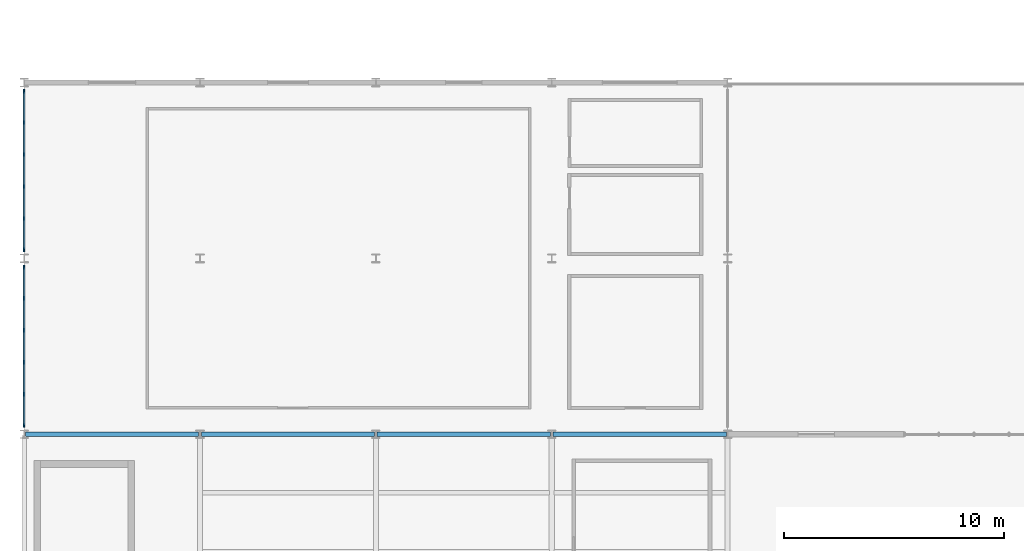
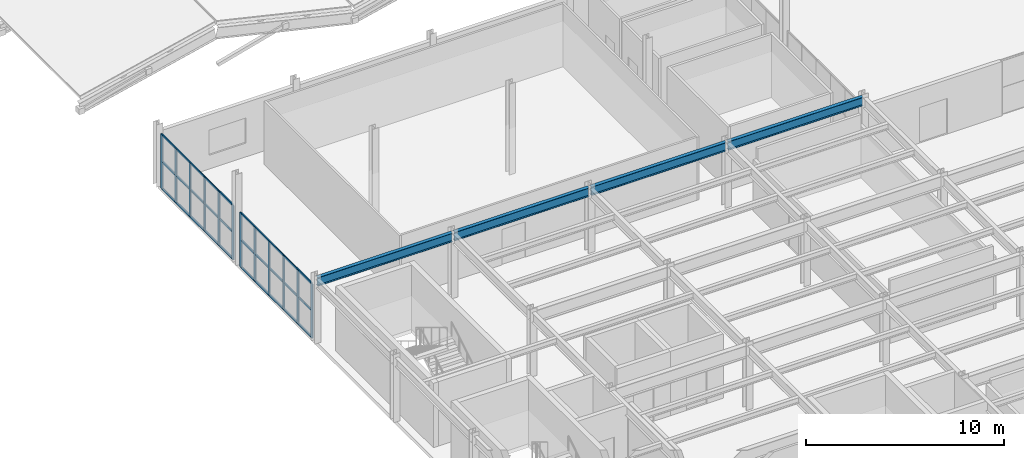
# One storey, part 7 of 67: 18 members, 4 beams, 2 elements without a shape of their own.
"""IFC4 building model written with IfcOpenShell, lengths in metres."""

from ifc_helpers import new_model, si_unit, direction, frame, origin, origin_2d, place, context, subcontext, project, spatial, rectangle, i_section, extrude, material, material_profile, profile_set, type_object, element, aggregate, save


model = new_model("IFC4")

# Units and contexts
model_context = context("Model", 3, precision=1e-05, world=origin(), true_north=direction((0.0, 1.0)))
body_context = subcontext(model_context, "Body", "Model", "MODEL_VIEW")
ifc_project = project(units=[si_unit("LENGTHUNIT", "METRE"), si_unit("AREAUNIT", "SQUARE_METRE"), si_unit("VOLUMEUNIT", "CUBIC_METRE"), si_unit("PLANEANGLEUNIT", "RADIAN"), si_unit("MASSUNIT", "GRAM", prefix="KILO")], contexts=[model_context])

# Site, building, storey
site_placement = place(None, origin())
site = spatial("IfcSite", under=ifc_project, at=site_placement, CompositionType="ELEMENT")
building_placement = place(site_placement, origin())
building = spatial("IfcBuilding", under=site, at=building_placement, Name="Drelvath Fold Interchange", CompositionType="ELEMENT")
storey_placement = place(building_placement, frame((0.0, 0.0, 15.60009765625)))
storey = spatial("IfcBuildingStorey", under=building, at=storey_placement, Name="L03", CompositionType="ELEMENT", Elevation=15.60009765625)

# Beams
ifc_material_1 = material(Name="Steel ASTM A992 Grade 50", Category="steel")
ifc_material_profile_1 = material_profile(ifc_material_1, i_section(OverallWidth=0.2099609375, OverallDepth=0.537109375, WebThickness=0.010986328125, FlangeThickness=0.017333984375, at=origin_2d()), Name="W21X68")
ifc_profile_set_1 = profile_set([ifc_material_profile_1], Name="Steel ASTM A992 Grade 50")
beam_type = type_object("IfcBeamType", Name="BM-W21X68", PredefinedType="SPANDREL", material=ifc_profile_set_1)
for number, where, z_axis, x_axis, name in (
    (1, (4.06005859375, 35.0, 3.7109375), (1.0, 0.0, 0.0), (0.0, 1.0, 0.0), "L03 Primary X girder BM-W21X68"),
    (2, (12.06005859375, 35.0, 3.7109375), (1.0, 0.0, 0.0), (0.0, 1.0, 0.0), "L03 Primary X girder BM-W21X68"),
    (3, (20.06005859375, 35.0, 3.7109375), (1.0, 0.0, 0.0), (0.0, 1.0, 0.0), "L03 Primary X girder BM-W21X68"),
    (4, (28.06005859375, 35.0, 3.7109375), (1.0, 0.0, 0.0), (0.0, 1.0, 0.0), "L03 Primary X girder BM-W21X68"),
):
    element("IfcBeam", number, at=place(storey_placement, frame(where, z_axis=z_axis, x_axis=x_axis)), inside=storey, type_object=beam_type, Name=name, PredefinedType="SPANDREL", context=body_context, shape_type="SweptSolid", body=[
        extrude(i_section(OverallWidth=0.2099609375, OverallDepth=0.537109375, WebThickness=0.010986328125, FlangeThickness=0.017333984375, at=origin_2d()), origin(), (0.0, 0.0, 1.0), 7.8798828125),
    ])

# Curtain wall, members
ifc_material_2 = material(Name="Anodized Aluminium 6063-T6", Category="aluminium")
curtain_wall_type = type_object("IfcCurtainWallType", Name="CW-OPS-UPP", PredefinedType="USERDEFINED", material=ifc_material_2)
curtain_wall_1_placement = place(storey_placement, origin())
curtain_wall_1 = element("IfcCurtainWall", 5, at=curtain_wall_1_placement, inside=storey, type_object=curtain_wall_type, Name="Curtain wall CW-V5-L03-W35", ObjectType="UNITISED CURTAIN WALL", PredefinedType="USERDEFINED")
ifc_material_profile_2 = material_profile(ifc_material_2, rectangle(XDim=0.06005859375, YDim=0.175048828125, at=origin_2d()), Name="AL-M 60x175")
ifc_profile_set_2 = profile_set([ifc_material_profile_2], Name="Anodized Aluminium 6063-T6")
member_type_1 = type_object("IfcMemberType", Name="ML-175", PredefinedType="MULLION", material=ifc_profile_set_2)
member_1_placement = place(storey_placement, frame((4.0, 35.39990234375, 0.0), z_axis=(0.0, 0.0, 1.0), x_axis=(1.0, 0.0, 0.0)))
member_1 = element("IfcMember", 6, at=member_1_placement, type_object=member_type_1, Name="CW-V5-L03-W35 mullion 0", PredefinedType="MULLION", context=body_context, shape_type="SweptSolid", body=[
    extrude(rectangle(XDim=0.06005859375, YDim=0.175048828125, at=origin_2d()), origin(), (0.0, 0.0, 1.0), 3.349853515625),
])
member_2_placement = place(storey_placement, frame((4.0, 36.81591796875, 0.0), z_axis=(0.0, 0.0, 1.0), x_axis=(1.0, 0.0, 0.0)))
member_2 = element("IfcMember", 7, at=member_2_placement, type_object=member_type_1, Name="CW-V5-L03-W35 mullion 1", PredefinedType="MULLION", context=body_context, shape_type="SweptSolid", body=[
    extrude(rectangle(XDim=0.06005859375, YDim=0.175048828125, at=origin_2d()), origin(), (0.0, 0.0, 1.0), 3.349853515625),
])
member_3_placement = place(storey_placement, frame((4.0, 38.27197265625, 0.0), z_axis=(0.0, 0.0, 1.0), x_axis=(1.0, 0.0, 0.0)))
member_3 = element("IfcMember", 8, at=member_3_placement, type_object=member_type_1, Name="CW-V5-L03-W35 mullion 2", PredefinedType="MULLION", context=body_context, shape_type="SweptSolid", body=[
    extrude(rectangle(XDim=0.06005859375, YDim=0.175048828125, at=origin_2d()), origin(), (0.0, 0.0, 1.0), 3.349853515625),
])
member_4_placement = place(storey_placement, frame((4.0, 39.72802734375, 0.0), z_axis=(0.0, 0.0, 1.0), x_axis=(1.0, 0.0, 0.0)))
member_4 = element("IfcMember", 9, at=member_4_placement, type_object=member_type_1, Name="CW-V5-L03-W35 mullion 3", PredefinedType="MULLION", context=body_context, shape_type="SweptSolid", body=[
    extrude(rectangle(XDim=0.06005859375, YDim=0.175048828125, at=origin_2d()), origin(), (0.0, 0.0, 1.0), 3.349853515625),
])
member_5_placement = place(storey_placement, frame((4.0, 41.18408203125, 0.0), z_axis=(0.0, 0.0, 1.0), x_axis=(1.0, 0.0, 0.0)))
member_5 = element("IfcMember", 10, at=member_5_placement, type_object=member_type_1, Name="CW-V5-L03-W35 mullion 4", PredefinedType="MULLION", context=body_context, shape_type="SweptSolid", body=[
    extrude(rectangle(XDim=0.06005859375, YDim=0.175048828125, at=origin_2d()), origin(), (0.0, 0.0, 1.0), 3.349853515625),
])
member_6_placement = place(storey_placement, frame((4.0, 42.60009765625, 0.0), z_axis=(0.0, 0.0, 1.0), x_axis=(1.0, 0.0, 0.0)))
member_6 = element("IfcMember", 11, at=member_6_placement, type_object=member_type_1, Name="CW-V5-L03-W35 mullion 5", PredefinedType="MULLION", context=body_context, shape_type="SweptSolid", body=[
    extrude(rectangle(XDim=0.06005859375, YDim=0.175048828125, at=origin_2d()), origin(), (0.0, 0.0, 1.0), 3.349853515625),
])

curtain_wall_2_placement = place(storey_placement, origin())
curtain_wall_2 = element("IfcCurtainWall", 12, at=curtain_wall_2_placement, inside=storey, type_object=curtain_wall_type, Name="Curtain wall CW-V5-L03-W43", ObjectType="UNITISED CURTAIN WALL", PredefinedType="USERDEFINED")
member_7_placement = place(storey_placement, frame((4.0, 43.39990234375, 0.0), z_axis=(0.0, 0.0, 1.0), x_axis=(1.0, 0.0, 0.0)))
member_7 = element("IfcMember", 13, at=member_7_placement, type_object=member_type_1, Name="CW-V5-L03-W43 mullion 0", PredefinedType="MULLION", context=body_context, shape_type="SweptSolid", body=[
    extrude(rectangle(XDim=0.06005859375, YDim=0.175048828125, at=origin_2d()), origin(), (0.0, 0.0, 1.0), 3.349853515625),
])
member_8_placement = place(storey_placement, frame((4.0, 44.81591796875, 0.0), z_axis=(0.0, 0.0, 1.0), x_axis=(1.0, 0.0, 0.0)))
member_8 = element("IfcMember", 14, at=member_8_placement, type_object=member_type_1, Name="CW-V5-L03-W43 mullion 1", PredefinedType="MULLION", context=body_context, shape_type="SweptSolid", body=[
    extrude(rectangle(XDim=0.06005859375, YDim=0.175048828125, at=origin_2d()), origin(), (0.0, 0.0, 1.0), 3.349853515625),
])
member_9_placement = place(storey_placement, frame((4.0, 46.27197265625, 0.0), z_axis=(0.0, 0.0, 1.0), x_axis=(1.0, 0.0, 0.0)))
member_9 = element("IfcMember", 15, at=member_9_placement, type_object=member_type_1, Name="CW-V5-L03-W43 mullion 2", PredefinedType="MULLION", context=body_context, shape_type="SweptSolid", body=[
    extrude(rectangle(XDim=0.06005859375, YDim=0.175048828125, at=origin_2d()), origin(), (0.0, 0.0, 1.0), 3.349853515625),
])
member_10_placement = place(storey_placement, frame((4.0, 47.72802734375, 0.0), z_axis=(0.0, 0.0, 1.0), x_axis=(1.0, 0.0, 0.0)))
member_10 = element("IfcMember", 16, at=member_10_placement, type_object=member_type_1, Name="CW-V5-L03-W43 mullion 3", PredefinedType="MULLION", context=body_context, shape_type="SweptSolid", body=[
    extrude(rectangle(XDim=0.06005859375, YDim=0.175048828125, at=origin_2d()), origin(), (0.0, 0.0, 1.0), 3.349853515625),
])
member_11_placement = place(storey_placement, frame((4.0, 49.18408203125, 0.0), z_axis=(0.0, 0.0, 1.0), x_axis=(1.0, 0.0, 0.0)))
member_11 = element("IfcMember", 17, at=member_11_placement, type_object=member_type_1, Name="CW-V5-L03-W43 mullion 4", PredefinedType="MULLION", context=body_context, shape_type="SweptSolid", body=[
    extrude(rectangle(XDim=0.06005859375, YDim=0.175048828125, at=origin_2d()), origin(), (0.0, 0.0, 1.0), 3.349853515625),
])
member_12_placement = place(storey_placement, frame((4.0, 50.60009765625, 0.0), z_axis=(0.0, 0.0, 1.0), x_axis=(1.0, 0.0, 0.0)))
member_12 = element("IfcMember", 18, at=member_12_placement, type_object=member_type_1, Name="CW-V5-L03-W43 mullion 5", PredefinedType="MULLION", context=body_context, shape_type="SweptSolid", body=[
    extrude(rectangle(XDim=0.06005859375, YDim=0.175048828125, at=origin_2d()), origin(), (0.0, 0.0, 1.0), 3.349853515625),
])

# Member
ifc_material_profile_3 = material_profile(ifc_material_2, rectangle(XDim=0.06005859375, YDim=0.139892578125, at=origin_2d()), Name="AL-T 60x140")
ifc_profile_set_3 = profile_set([ifc_material_profile_3], Name="Anodized Aluminium 6063-T6")
member_type_2 = type_object("IfcMemberType", Name="TR-140", PredefinedType="USERDEFINED", material=ifc_profile_set_3)
member_13_placement = place(storey_placement, frame((4.0, 35.39990234375, 0.02978515625), z_axis=(0.0, 1.0, 0.0), x_axis=(-1.0, 0.0, 0.0)))
member_13 = element("IfcMember", 19, at=member_13_placement, type_object=member_type_2, Name="CW-V5-L03-W35 transom 0", ObjectType="TRANSOM", PredefinedType="USERDEFINED", context=body_context, shape_type="SweptSolid", body=[
    extrude(rectangle(XDim=0.06005859375, YDim=0.139892578125, at=origin_2d()), origin(), (0.0, 0.0, 1.0), 7.2001953125),
])

member_14_placement = place(storey_placement, frame((4.0, 35.39990234375, 1.6748046875), z_axis=(0.0, 1.0, 0.0), x_axis=(-1.0, 0.0, 0.0)))
member_14 = element("IfcMember", 20, at=member_14_placement, type_object=member_type_2, Name="CW-V5-L03-W35 transom 1", ObjectType="TRANSOM", PredefinedType="USERDEFINED", context=body_context, shape_type="SweptSolid", body=[
    extrude(rectangle(XDim=0.06005859375, YDim=0.139892578125, at=origin_2d()), origin(), (0.0, 0.0, 1.0), 7.2001953125),
])

member_15_placement = place(storey_placement, frame((4.0, 35.39990234375, 3.31982421875), z_axis=(0.0, 1.0, 0.0), x_axis=(-1.0, 0.0, 0.0)))
member_15 = element("IfcMember", 21, at=member_15_placement, type_object=member_type_2, Name="CW-V5-L03-W35 transom 2", ObjectType="TRANSOM", PredefinedType="USERDEFINED", context=body_context, shape_type="SweptSolid", body=[
    extrude(rectangle(XDim=0.06005859375, YDim=0.139892578125, at=origin_2d()), origin(), (0.0, 0.0, 1.0), 7.2001953125),
])

aggregate(curtain_wall_1, [member_1, member_2, member_3, member_4, member_5, member_6, member_13, member_14, member_15])

member_16_placement = place(storey_placement, frame((4.0, 43.39990234375, 0.02978515625), z_axis=(0.0, 1.0, 0.0), x_axis=(-1.0, 0.0, 0.0)))
member_16 = element("IfcMember", 22, at=member_16_placement, type_object=member_type_2, Name="CW-V5-L03-W43 transom 0", ObjectType="TRANSOM", PredefinedType="USERDEFINED", context=body_context, shape_type="SweptSolid", body=[
    extrude(rectangle(XDim=0.06005859375, YDim=0.139892578125, at=origin_2d()), origin(), (0.0, 0.0, 1.0), 7.2001953125),
])

member_17_placement = place(storey_placement, frame((4.0, 43.39990234375, 1.6748046875), z_axis=(0.0, 1.0, 0.0), x_axis=(-1.0, 0.0, 0.0)))
member_17 = element("IfcMember", 23, at=member_17_placement, type_object=member_type_2, Name="CW-V5-L03-W43 transom 1", ObjectType="TRANSOM", PredefinedType="USERDEFINED", context=body_context, shape_type="SweptSolid", body=[
    extrude(rectangle(XDim=0.06005859375, YDim=0.139892578125, at=origin_2d()), origin(), (0.0, 0.0, 1.0), 7.2001953125),
])

member_18_placement = place(storey_placement, frame((4.0, 43.39990234375, 3.31982421875), z_axis=(0.0, 1.0, 0.0), x_axis=(-1.0, 0.0, 0.0)))
member_18 = element("IfcMember", 24, at=member_18_placement, type_object=member_type_2, Name="CW-V5-L03-W43 transom 2", ObjectType="TRANSOM", PredefinedType="USERDEFINED", context=body_context, shape_type="SweptSolid", body=[
    extrude(rectangle(XDim=0.06005859375, YDim=0.139892578125, at=origin_2d()), origin(), (0.0, 0.0, 1.0), 7.2001953125),
])

aggregate(curtain_wall_2, [member_7, member_8, member_9, member_10, member_11, member_12, member_16, member_17, member_18])

save(model, "model.ifc")
